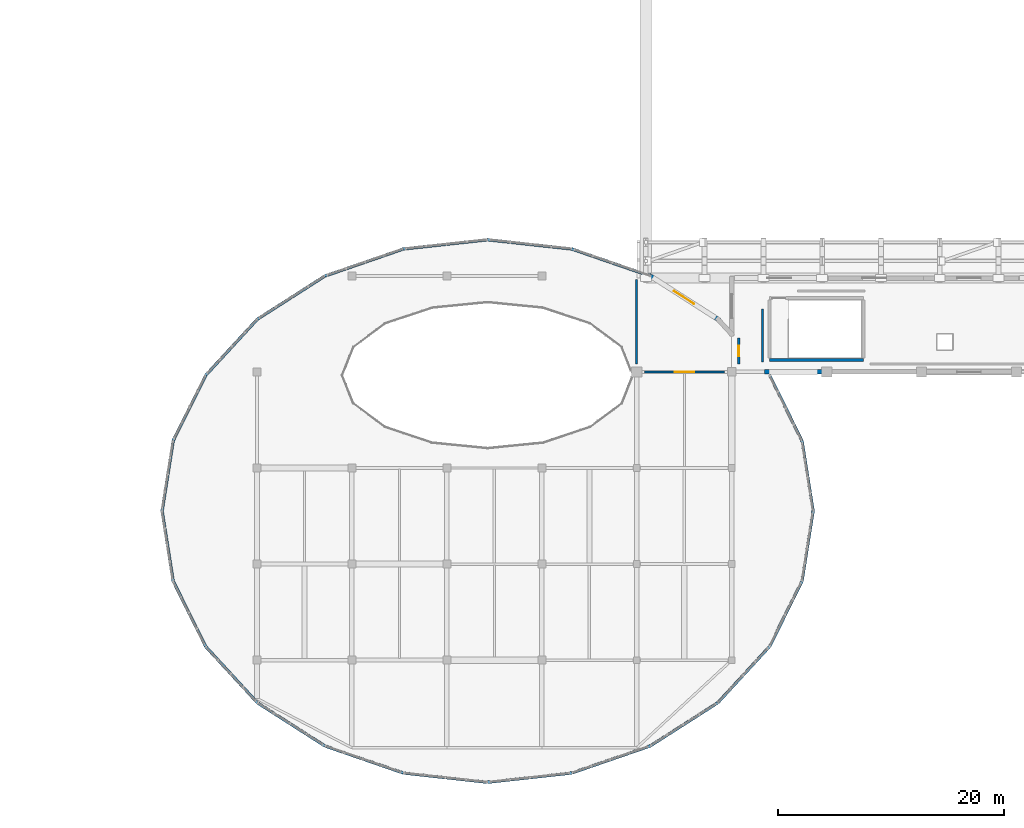
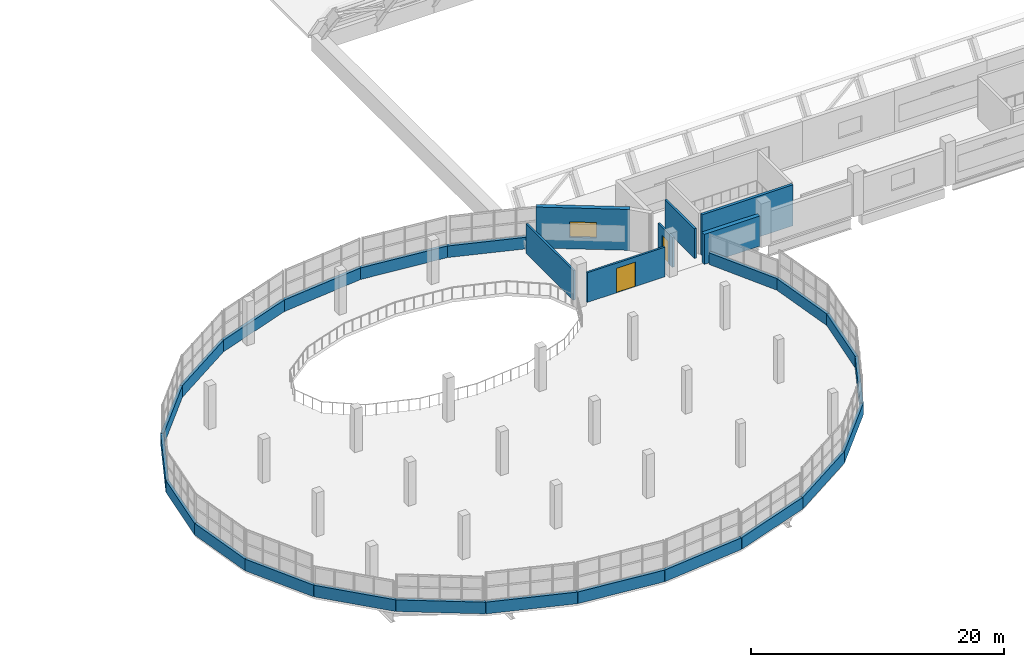
# One storey, part 39 of 52: 29 walls, 2 doors, 1 window, 3 openings.
"""IFC4 building model written with IfcOpenShell, lengths in metres."""

from ifc_helpers import new_model, si_unit, direction, frame, frame_2d, origin, place, context, subcontext, project, spatial, rectangle, extrude, material, layer, layer_set, type_object, element, fill, save


model = new_model("IFC4")

# Units and contexts
model_context = context("Model", 3, precision=1e-05, world=origin(), true_north=direction((0.0, 1.0)))
body_context = subcontext(model_context, "Body", "Model", "MODEL_VIEW")
ifc_project = project(units=[si_unit("LENGTHUNIT", "METRE"), si_unit("AREAUNIT", "SQUARE_METRE"), si_unit("VOLUMEUNIT", "CUBIC_METRE"), si_unit("PLANEANGLEUNIT", "RADIAN"), si_unit("MASSUNIT", "GRAM", prefix="KILO")], contexts=[model_context])

# Site, building, storey
site_placement = place(None, origin())
site = spatial("IfcSite", under=ifc_project, at=site_placement, CompositionType="ELEMENT")
building_placement = place(site_placement, origin())
building = spatial("IfcBuilding", under=site, at=building_placement, Name="Solvento Point Concert Hall", CompositionType="ELEMENT")
storey_placement = place(building_placement, frame((0.0, 0.0, 19.5)))
storey = spatial("IfcBuildingStorey", under=building, at=storey_placement, Name="L04", CompositionType="ELEMENT", Elevation=19.5)

# Wall, opening, door
ifc_material_1 = material(Name="Acoustic Double-Stud Gypsum Partition")
ifc_layer_1 = layer(ifc_material_1, 0.179931640625)
ifc_layer_set_1 = layer_set([ifc_layer_1], Name="Acoustic Double-Stud Gypsum Partition")
wall_type_1 = type_object("IfcWallType", Name="AcousticPartition_180", PredefinedType="PARTITIONING", material=ifc_layer_set_1)
wall_1_placement = place(storey_placement, frame((83.419921875, 43.219970703125, 0.0), z_axis=(0.0, 0.0, 1.0), x_axis=(0.0, 1.0, 0.0)))
wall_1 = element("IfcWall", 1, at=wall_1_placement, inside=storey, type_object=wall_type_1, Name="Interior acoustic partition PW-63 L04", PredefinedType="PARTITIONING", context=body_context, shape_type="SweptSolid", body=[
    extrude(rectangle(XDim=2.28515625, YDim=0.179931640625, at=frame_2d((1.142578125, 0.0))), origin(), (0.0, 0.0, 1.0), 2.860107421875),
])
opening_1_placement = place(wall_1_placement, frame((0.6826171875, 0.0, 0.0)))
opening_1 = element("IfcOpeningElement", 2, at=opening_1_placement, cuts=wall_1, Name="Opening DR-46", PredefinedType="OPENING", context=body_context, shape_type="SweptSolid", body=[
    extrude(rectangle(XDim=0.919921875, YDim=2.1201171875, at=frame_2d((0.4599609375, 1.06005859375))), frame((0.0, 0.099853515625, 0.0), z_axis=(0.0, -1.0, 0.0), x_axis=(1.0, 0.0, 0.0)), (0.0, 0.0, 1.0), 0.199951171875),
])
ifc_material_2 = material(Name="Brazilian Hardwood Acoustic Door", Category="wood")
door_type_1 = type_object("IfcDoorType", Name="IntDoor_AccessibleWC", OperationType="NOTDEFINED", PredefinedType="DOOR", material=ifc_material_2)
door_1_placement = place(opening_1_placement, origin())
door_1 = element("IfcDoor", 3, at=door_1_placement, inside=storey, type_object=door_type_1, Name="Interior door DR-46 L04", OperationType="SINGLE_SWING_RIGHT", OverallHeight=2.1201171875, OverallWidth=0.919921875, PredefinedType="DOOR", context=body_context, shape_type="SweptSolid", body=[
    extrude(rectangle(XDim=0.919921875, YDim=2.1201171875, at=frame_2d((0.4599609375, 1.06005859375))), frame((0.0, 0.02490234375, 0.0), z_axis=(0.0, -1.0, 0.0), x_axis=(1.0, 0.0, 0.0)), (0.0, 0.0, 1.0), 0.050048828125),
])
fill(opening_1, door_1)

# Wall
wall_2_placement = place(storey_placement, frame((85.530029296875, 48.064208984375, 0.0), z_axis=(0.0, 0.0, 1.0), x_axis=(0.0, -1.0, 0.0)))
element("IfcWall", 4, at=wall_2_placement, inside=storey, type_object=wall_type_1, Name="Interior acoustic partition PW-63 L04", PredefinedType="PARTITIONING", context=body_context, shape_type="SweptSolid", body=[
    extrude(rectangle(XDim=4.664794921875, YDim=0.179931640625, at=frame_2d((2.33251953125, 0.0))), origin(), (0.0, 0.0, 1.0), 2.860107421875),
])

# Wall, opening, door
wall_3_placement = place(storey_placement, frame((75.10009765625, 42.47998046875, 0.0), z_axis=(0.0, 0.0, 1.0), x_axis=(1.0, 0.0, 0.0)))
wall_3 = element("IfcWall", 5, at=wall_3_placement, inside=storey, type_object=wall_type_1, Name="Interior acoustic partition PW-63 L04", PredefinedType="PARTITIONING", context=body_context, shape_type="SweptSolid", body=[
    extrude(rectangle(XDim=7.074951171875, YDim=0.179931640625, at=frame_2d((3.53759765625, 0.0))), origin(), (0.0, 0.0, 1.0), 2.860107421875),
])
opening_2_placement = place(wall_3_placement, frame((2.677490234375, 0.0, 0.0)))
opening_2 = element("IfcOpeningElement", 6, at=opening_2_placement, cuts=wall_3, Name="Opening DR-35", PredefinedType="OPENING", context=body_context, shape_type="SweptSolid", body=[
    extrude(rectangle(XDim=1.719970703125, YDim=2.360107421875, at=frame_2d((0.85986328125, 1.18017578125))), frame((0.0, 0.099853515625, 0.0), z_axis=(0.0, -1.0, 0.0), x_axis=(1.0, 0.0, 0.0)), (0.0, 0.0, 1.0), 0.199951171875),
])
ifc_material_3 = material(Name="Brazilian Hardwood Acoustic Door", Category="wood")
door_type_2 = type_object("IfcDoorType", Name="IntDoor_FoyerCafeRetail", OperationType="NOTDEFINED", PredefinedType="DOOR", material=ifc_material_3)
door_2_placement = place(opening_2_placement, origin())
door_2 = element("IfcDoor", 7, at=door_2_placement, inside=storey, type_object=door_type_2, Name="Interior door DR-35 L04", OperationType="SINGLE_SWING_RIGHT", OverallHeight=2.360107421875, OverallWidth=1.719970703125, PredefinedType="DOOR", context=body_context, shape_type="SweptSolid", body=[
    extrude(rectangle(XDim=1.719970703125, YDim=2.360107421875, at=frame_2d((0.85986328125, 1.18017578125))), frame((0.0, 0.02490234375, 0.0), z_axis=(0.0, -1.0, 0.0), x_axis=(1.0, 0.0, 0.0)), (0.0, 0.0, 1.0), 0.050048828125),
])
fill(opening_2, door_2)

# Walls
wall_4_placement = place(storey_placement, frame((74.3798828125, 50.665283203125, 0.0), z_axis=(0.0, 0.0, 1.0), x_axis=(0.0, -1.0, 0.0)))
element("IfcWall", 8, at=wall_4_placement, inside=storey, type_object=wall_type_1, Name="Interior acoustic partition PW-63 L04", PredefinedType="PARTITIONING", context=body_context, shape_type="SweptSolid", body=[
    extrude(rectangle(XDim=7.46533203125, YDim=0.179931640625, at=frame_2d((3.732666015625, 0.0))), origin(), (0.0, 0.0, 1.0), 2.860107421875),
])
ifc_material_4 = material(Name="Concrete C40/50", Category="concrete")
ifc_layer_2 = layer(ifc_material_4, 0.300048828125)
ifc_layer_set_2 = layer_set([ifc_layer_2], Name="Concrete C40/50")
wall_type_2 = type_object("IfcWallType", Name="CoreShearWall_300", PredefinedType="SHEAR", material=ifc_layer_set_2)
wall_5_placement = place(storey_placement, frame((94.449951171875, 43.550048828125, 0.0), z_axis=(0.0, 0.0, 1.0), x_axis=(-1.0, 0.0, 0.0)))
element("IfcWall", 9, at=wall_5_placement, inside=storey, type_object=wall_type_2, Name="Stair core shear wall W-SH1 ST-06 L04", PredefinedType="SHEAR", context=body_context, shape_type="SweptSolid", body=[
    extrude(rectangle(XDim=8.300048828125, YDim=0.25, at=frame_2d((4.14990234375, 0.0))), origin(), (0.0, 0.0, 1.0), 3.93994140625),
])

# Wall, opening, window
ifc_material_5 = material(Name="Concrete C40/50", Category="concrete")
ifc_layer_3 = layer(ifc_material_5, 0.389892578125)
ifc_layer_set_3 = layer_set([ifc_layer_3], Name="Concrete C40/50")
wall_type_3 = type_object("IfcWallType", Name="ExtWall_V1_Gallery_390", PredefinedType="SOLIDWALL", material=ifc_layer_set_3)
wall_6_placement = place(storey_placement, frame((75.465087890625, 51.07080078125, 0.0), z_axis=(0.0, 0.0, 1.0), x_axis=(0.84249661985, -0.538701629422, 0.0)))
wall_6 = element("IfcWall", 10, at=wall_6_placement, inside=storey, type_object=wall_type_3, Name="Exterior architectural concrete wall EW-28 L04", PredefinedType="SOLIDWALL", context=body_context, shape_type="SweptSolid", body=[
    extrude(rectangle(XDim=7.39990234375, YDim=0.389892578125, at=frame_2d((3.699951171875, 0.0))), origin(), (0.0, 0.0, 1.0), 3.93994140625),
])
opening_3_placement = place(wall_6_placement, frame((2.64990234375, 0.0, 1.10009765625)))
opening_3 = element("IfcOpeningElement", 11, at=opening_3_placement, cuts=wall_6, Name="Opening WN-80", PredefinedType="OPENING", context=body_context, shape_type="SweptSolid", body=[
    extrude(rectangle(XDim=2.10009765625, YDim=1.5, at=frame_2d((1.050048828125, 0.75))), frame((0.0, 0.204833984375, 0.0), z_axis=(0.0, -1.0, 0.0), x_axis=(1.0, 0.0, 0.0)), (0.0, 0.0, 1.0), 0.409912109375),
])
ifc_material_6 = material(Name="Hurricane Laminated Low-E Glass", Category="glass")
window_type = type_object("IfcWindowType", Name="Win_V1_TechClerestory", PartitioningType="SINGLE_PANEL", PredefinedType="WINDOW", material=ifc_material_6)
window_placement = place(opening_3_placement, origin())
window = element("IfcWindow", 12, at=window_placement, inside=storey, type_object=window_type, Name="Impact acoustic window WN-80", OverallHeight=1.5, OverallWidth=2.10009765625, PartitioningType="SINGLE_PANEL", PredefinedType="WINDOW", context=body_context, shape_type="SweptSolid", body=[
    extrude(rectangle(XDim=2.10009765625, YDim=1.5, at=frame_2d((1.050048828125, 0.75))), frame((0.0, 0.030029296875, 0.0), z_axis=(0.0, -1.0, 0.0), x_axis=(1.0, 0.0, 0.0)), (0.0, 0.0, 1.0), 0.06005859375),
])
fill(opening_3, window)

# Walls
wall_7_placement = place(storey_placement, frame((90.77001953125, 42.5, 0.0), z_axis=(0.0, 0.0, 1.0), x_axis=(-1.0, 0.0, 0.0)))
element("IfcWall", 13, at=wall_7_placement, inside=storey, type_object=wall_type_3, Name="Exterior architectural concrete wall EW-28 L04", PredefinedType="SOLIDWALL", context=body_context, shape_type="SweptSolid", body=[
    extrude(rectangle(XDim=5.064697265625, YDim=0.389892578125, at=frame_2d((2.5322265625, 0.0))), origin(), (0.0, 0.0, 1.0), 2.89794921875),
])
ifc_material_7 = material(Name="Concrete C40/50", Category="concrete")
ifc_layer_4 = layer(ifc_material_7, 0.260009765625)
ifc_layer_set_4 = layer_set([ifc_layer_4], Name="Concrete C40/50")
wall_type_4 = type_object("IfcWallType", Name="Parapet_Ring_260", PredefinedType="PARAPET", material=ifc_layer_set_4)
wall_8_placement = place(storey_placement, frame((61.199951171875, 6.199951171875, 0.0), z_axis=(0.0, 0.0, 1.0), x_axis=(-0.99403407861, 0.109069934275, 0.0)))
element("IfcWall", 14, at=wall_8_placement, inside=storey, type_object=wall_type_4, Name="Sliding elliptical white concrete ring spandrel PR-01 L04", PredefinedType="PARAPET", context=body_context, shape_type="SweptSolid", body=[
    extrude(rectangle(XDim=7.49853515625, YDim=0.260009765625, at=frame_2d((3.749267578125, 0.0))), origin(), (0.0, 0.0, 1.0), 1.1201171875),
])
wall_9_placement = place(storey_placement, frame((53.74609375, 7.017822265625, 0.0), z_axis=(0.0, 0.0, 1.0), x_axis=(-0.945277609802, 0.326267130444, 0.0)))
element("IfcWall", 15, at=wall_9_placement, inside=storey, type_object=wall_type_4, Name="Sliding elliptical white concrete ring spandrel PR-01 L04", PredefinedType="PARAPET", context=body_context, shape_type="SweptSolid", body=[
    extrude(rectangle(XDim=7.34814453125, YDim=0.260009765625, at=frame_2d((3.674072265625, 0.0))), origin(), (0.0, 0.0, 1.0), 1.1201171875),
])
wall_10_placement = place(storey_placement, frame((46.800048828125, 9.415283203125, 0.0), z_axis=(0.0, 0.0, 1.0), x_axis=(-0.842482381457, 0.538723896754, 0.0)))
element("IfcWall", 16, at=wall_10_placement, inside=storey, type_object=wall_type_4, Name="Sliding elliptical white concrete ring spandrel PR-01 L04", PredefinedType="PARAPET", context=body_context, shape_type="SweptSolid", body=[
    extrude(rectangle(XDim=7.080078125, YDim=0.260009765625, at=frame_2d((3.5400390625, 0.0))), origin(), (0.0, 0.0, 1.0), 1.1201171875),
])
wall_11_placement = place(storey_placement, frame((40.835205078125, 13.2294921875, 0.0), z_axis=(0.0, 0.0, 1.0), x_axis=(-0.677364109905, 0.73564792028, 0.0)))
element("IfcWall", 17, at=wall_11_placement, inside=storey, type_object=wall_type_4, Name="Sliding elliptical white concrete ring spandrel PR-01 L04", PredefinedType="PARAPET", context=body_context, shape_type="SweptSolid", body=[
    extrude(rectangle(XDim=6.756591796875, YDim=0.260009765625, at=frame_2d((3.37841796875, 0.0))), origin(), (0.0, 0.0, 1.0), 1.1201171875),
])
wall_12_placement = place(storey_placement, frame((36.258544921875, 18.199951171875, 0.0), z_axis=(0.0, 0.0, 1.0), x_axis=(-0.445112384226, 0.895474715114, 0.0)))
element("IfcWall", 18, at=wall_12_placement, inside=storey, type_object=wall_type_4, Name="Sliding elliptical white concrete ring spandrel PR-01 L04", PredefinedType="PARAPET", context=body_context, shape_type="SweptSolid", body=[
    extrude(rectangle(XDim=6.4638671875, YDim=0.260009765625, at=frame_2d((3.23193359375, 0.0))), origin(), (0.0, 0.0, 1.0), 1.1201171875),
])
for number, where, z_axis, x_axis, name in (
    (19, (33.38134765625, 23.98828125, 0.0), (0.0, 0.0, 1.0), (-0.15606424419, 0.987746906695, 0.0), "Sliding elliptical white concrete ring spandrel PR-01 L04"),
    (20, (32.39990234375, 30.199951171875, 0.0), (0.0, 0.0, 1.0), (0.15606424419, 0.987746906695, 0.0), "Sliding elliptical white concrete ring spandrel PR-01 L04"),
):
    element("IfcWall", number, at=place(storey_placement, frame(where, z_axis=z_axis, x_axis=x_axis)), inside=storey, type_object=wall_type_4, Name=name, PredefinedType="PARAPET", context=body_context, shape_type="SweptSolid", body=[
        extrude(rectangle(XDim=6.288818359375, YDim=0.260009765625, at=frame_2d((3.14453125, 0.0))), origin(), (0.0, 0.0, 1.0), 1.1201171875),
    ])
wall_13_placement = place(storey_placement, frame((33.38134765625, 36.41162109375, 0.0), z_axis=(0.0, 0.0, 1.0), x_axis=(0.445112384226, 0.895474715114, 0.0)))
element("IfcWall", 21, at=wall_13_placement, inside=storey, type_object=wall_type_4, Name="Sliding elliptical white concrete ring spandrel PR-01 L04", PredefinedType="PARAPET", context=body_context, shape_type="SweptSolid", body=[
    extrude(rectangle(XDim=6.4638671875, YDim=0.260009765625, at=frame_2d((3.23193359375, 0.0))), origin(), (0.0, 0.0, 1.0), 1.1201171875),
])
wall_14_placement = place(storey_placement, frame((36.258544921875, 42.199951171875, 0.0), z_axis=(0.0, 0.0, 1.0), x_axis=(0.677346104657, 0.735664498604, 0.0)))
element("IfcWall", 22, at=wall_14_placement, inside=storey, type_object=wall_type_4, Name="Sliding elliptical white concrete ring spandrel PR-01 L04", PredefinedType="PARAPET", context=body_context, shape_type="SweptSolid", body=[
    extrude(rectangle(XDim=6.7568359375, YDim=0.260009765625, at=frame_2d((3.37841796875, 0.0))), origin(), (0.0, 0.0, 1.0), 1.1201171875),
])
wall_15_placement = place(storey_placement, frame((40.835205078125, 47.170654296875, 0.0), z_axis=(0.0, 0.0, 1.0), x_axis=(0.842498031916, 0.53869942103, 0.0)))
element("IfcWall", 23, at=wall_15_placement, inside=storey, type_object=wall_type_4, Name="Sliding elliptical white concrete ring spandrel PR-01 L04", PredefinedType="PARAPET", context=body_context, shape_type="SweptSolid", body=[
    extrude(rectangle(XDim=7.079833984375, YDim=0.260009765625, at=frame_2d((3.5400390625, 0.0))), origin(), (0.0, 0.0, 1.0), 1.1201171875),
])
wall_16_placement = place(storey_placement, frame((46.800048828125, 50.984619140625, 0.0), z_axis=(0.0, 0.0, 1.0), x_axis=(0.945277609802, 0.326267130444, 0.0)))
element("IfcWall", 24, at=wall_16_placement, inside=storey, type_object=wall_type_4, Name="Sliding elliptical white concrete ring spandrel PR-01 L04", PredefinedType="PARAPET", context=body_context, shape_type="SweptSolid", body=[
    extrude(rectangle(XDim=7.34814453125, YDim=0.260009765625, at=frame_2d((3.674072265625, 0.0))), origin(), (0.0, 0.0, 1.0), 1.1201171875),
])
wall_17_placement = place(storey_placement, frame((53.74609375, 53.382080078125, 0.0), z_axis=(0.0, 0.0, 1.0), x_axis=(0.99403407861, 0.109069934275, 0.0)))
element("IfcWall", 25, at=wall_17_placement, inside=storey, type_object=wall_type_4, Name="Sliding elliptical white concrete ring spandrel PR-01 L04", PredefinedType="PARAPET", context=body_context, shape_type="SweptSolid", body=[
    extrude(rectangle(XDim=7.49853515625, YDim=0.260009765625, at=frame_2d((3.749267578125, 0.0))), origin(), (0.0, 0.0, 1.0), 1.1201171875),
])
wall_18_placement = place(storey_placement, frame((61.199951171875, 54.199951171875, 0.0), z_axis=(0.0, 0.0, 1.0), x_axis=(0.994034465911, -0.109066404454, 0.0)))
element("IfcWall", 26, at=wall_18_placement, inside=storey, type_object=wall_type_4, Name="Sliding elliptical white concrete ring spandrel PR-01 L04", PredefinedType="PARAPET", context=body_context, shape_type="SweptSolid", body=[
    extrude(rectangle(XDim=7.498779296875, YDim=0.260009765625, at=frame_2d((3.74951171875, 0.0))), origin(), (0.0, 0.0, 1.0), 1.1201171875),
])
wall_19_placement = place(storey_placement, frame((68.654052734375, 53.382080078125, 0.0), z_axis=(0.0, 0.0, 1.0), x_axis=(0.945277609802, -0.326267130444, 0.0)))
element("IfcWall", 27, at=wall_19_placement, inside=storey, type_object=wall_type_4, Name="Sliding elliptical white concrete ring spandrel PR-01 L04", PredefinedType="PARAPET", context=body_context, shape_type="SweptSolid", body=[
    extrude(rectangle(XDim=7.34814453125, YDim=0.260009765625, at=frame_2d((3.674072265625, 0.0))), origin(), (0.0, 0.0, 1.0), 1.1201171875),
])
wall_20_placement = place(storey_placement, frame((86.1416015625, 42.199951171875, 0.0), z_axis=(0.0, 0.0, 1.0), x_axis=(0.445112384226, -0.895474715114, 0.0)))
element("IfcWall", 28, at=wall_20_placement, inside=storey, type_object=wall_type_4, Name="Sliding elliptical white concrete ring spandrel PR-01 L04", PredefinedType="PARAPET", context=body_context, shape_type="SweptSolid", body=[
    extrude(rectangle(XDim=6.4638671875, YDim=0.260009765625, at=frame_2d((3.23193359375, 0.0))), origin(), (0.0, 0.0, 1.0), 1.1201171875),
])
for number, where, z_axis, x_axis, name in (
    (29, (89.018798828125, 36.41162109375, 0.0), (0.0, 0.0, 1.0), (0.156026367443, -0.987752890485, 0.0), "Sliding elliptical white concrete ring spandrel PR-01 L04"),
    (30, (90.0, 30.199951171875, 0.0), (0.0, 0.0, 1.0), (-0.156026367443, -0.987752890485, 0.0), "Sliding elliptical white concrete ring spandrel PR-01 L04"),
):
    element("IfcWall", number, at=place(storey_placement, frame(where, z_axis=z_axis, x_axis=x_axis)), inside=storey, type_object=wall_type_4, Name=name, PredefinedType="PARAPET", context=body_context, shape_type="SweptSolid", body=[
        extrude(rectangle(XDim=6.28857421875, YDim=0.260009765625, at=frame_2d((3.144287109375, 0.0))), origin(), (0.0, 0.0, 1.0), 1.1201171875),
    ])
wall_21_placement = place(storey_placement, frame((89.018798828125, 23.98828125, 0.0), z_axis=(0.0, 0.0, 1.0), x_axis=(-0.445112384226, -0.895474715114, 0.0)))
element("IfcWall", 31, at=wall_21_placement, inside=storey, type_object=wall_type_4, Name="Sliding elliptical white concrete ring spandrel PR-01 L04", PredefinedType="PARAPET", context=body_context, shape_type="SweptSolid", body=[
    extrude(rectangle(XDim=6.4638671875, YDim=0.260009765625, at=frame_2d((3.23193359375, 0.0))), origin(), (0.0, 0.0, 1.0), 1.1201171875),
])
wall_22_placement = place(storey_placement, frame((86.1416015625, 18.199951171875, 0.0), z_axis=(0.0, 0.0, 1.0), x_axis=(-0.677383663997, -0.735629914937, 0.0)))
element("IfcWall", 32, at=wall_22_placement, inside=storey, type_object=wall_type_4, Name="Sliding elliptical white concrete ring spandrel PR-01 L04", PredefinedType="PARAPET", context=body_context, shape_type="SweptSolid", body=[
    extrude(rectangle(XDim=6.7568359375, YDim=0.260009765625, at=frame_2d((3.37841796875, 0.0))), origin(), (0.0, 0.0, 1.0), 1.1201171875),
])
wall_23_placement = place(storey_placement, frame((81.564697265625, 13.2294921875, 0.0), z_axis=(0.0, 0.0, 1.0), x_axis=(-0.842472373321, -0.53873954764, 0.0)))
element("IfcWall", 33, at=wall_23_placement, inside=storey, type_object=wall_type_4, Name="Sliding elliptical white concrete ring spandrel PR-01 L04", PredefinedType="PARAPET", context=body_context, shape_type="SweptSolid", body=[
    extrude(rectangle(XDim=7.079833984375, YDim=0.260009765625, at=frame_2d((3.5400390625, 0.0))), origin(), (0.0, 0.0, 1.0), 1.1201171875),
])
wall_24_placement = place(storey_placement, frame((75.60009765625, 9.415283203125, 0.0), z_axis=(0.0, 0.0, 1.0), x_axis=(-0.945277609802, -0.326267130444, 0.0)))
element("IfcWall", 34, at=wall_24_placement, inside=storey, type_object=wall_type_4, Name="Sliding elliptical white concrete ring spandrel PR-01 L04", PredefinedType="PARAPET", context=body_context, shape_type="SweptSolid", body=[
    extrude(rectangle(XDim=7.34814453125, YDim=0.260009765625, at=frame_2d((3.674072265625, 0.0))), origin(), (0.0, 0.0, 1.0), 1.1201171875),
])
wall_25_placement = place(storey_placement, frame((68.654052734375, 7.017822265625, 0.0), z_axis=(0.0, 0.0, 1.0), x_axis=(-0.994034465911, -0.109066404454, 0.0)))
element("IfcWall", 35, at=wall_25_placement, inside=storey, type_object=wall_type_4, Name="Sliding elliptical white concrete ring spandrel PR-01 L04", PredefinedType="PARAPET", context=body_context, shape_type="SweptSolid", body=[
    extrude(rectangle(XDim=7.498779296875, YDim=0.260009765625, at=frame_2d((3.74951171875, 0.0))), origin(), (0.0, 0.0, 1.0), 1.1201171875),
])

save(model, "model.ifc")
